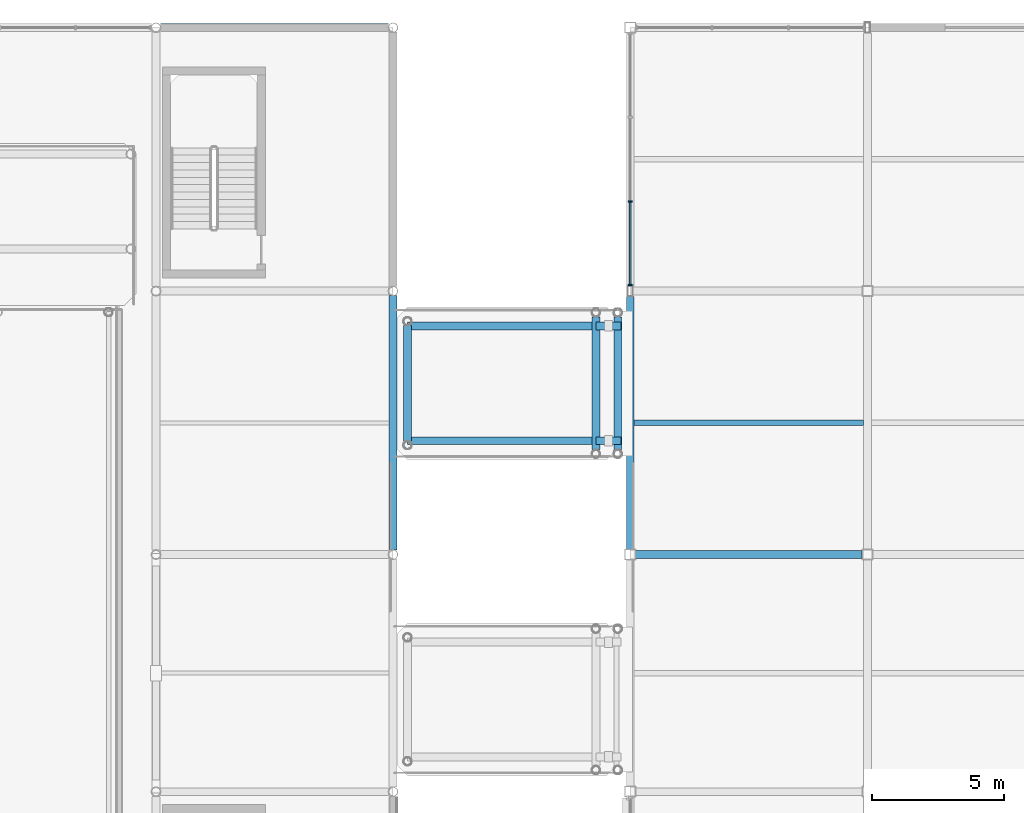
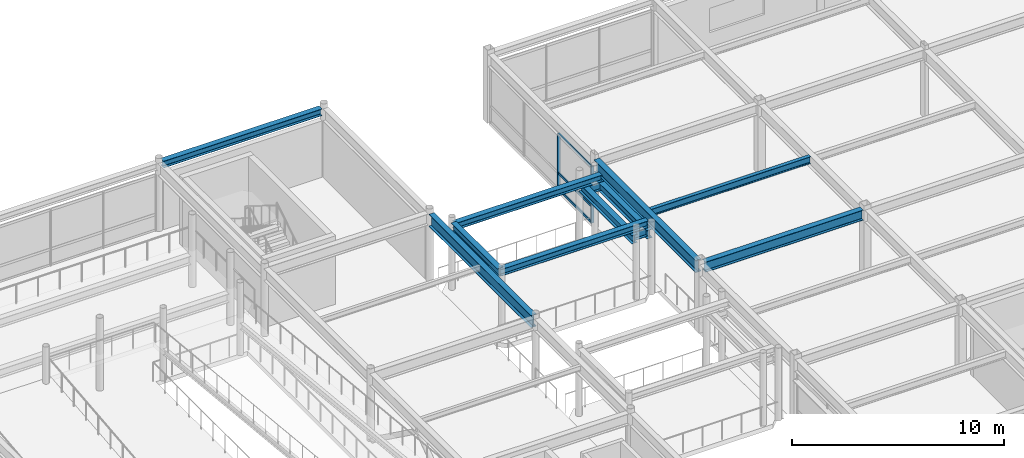
# One storey, part 41 of 108: 12 beams, 5 members, 1 element without a shape of its own.
"""IFC4 building model written with IfcOpenShell, lengths in metres."""

from ifc_helpers import new_model, si_unit, direction, frame, origin, origin_2d, place, context, subcontext, project, spatial, rectangle, i_section, extrude, material, material_profile, profile_set, type_object, element, aggregate, save


model = new_model("IFC4")

# Units and contexts
model_context = context("Model", 3, precision=1e-05, world=origin(), true_north=direction((0.0, 1.0)))
body_context = subcontext(model_context, "Body", "Model", "MODEL_VIEW")
ifc_project = project(units=[si_unit("LENGTHUNIT", "METRE"), si_unit("AREAUNIT", "SQUARE_METRE"), si_unit("VOLUMEUNIT", "CUBIC_METRE"), si_unit("PLANEANGLEUNIT", "RADIAN"), si_unit("MASSUNIT", "GRAM", prefix="KILO")], contexts=[model_context])

# Site, building, storey
site_placement = place(None, origin())
site = spatial("IfcSite", under=ifc_project, at=site_placement, CompositionType="ELEMENT")
building_placement = place(site_placement, origin())
building = spatial("IfcBuilding", under=site, at=building_placement, Name="Suzunagisa Mobility Hub", CompositionType="ELEMENT")
storey_placement = place(building_placement, frame((0.0, 0.0, 9.300048828125)))
storey = spatial("IfcBuildingStorey", under=building, at=storey_placement, Name="L02", CompositionType="ELEMENT", Elevation=9.300048828125)

# Curtain wall, members
ifc_material_1 = material(Name="Thermally Broken Anodized Aluminum and Low-E Glazing", Category="aluminium")
curtain_wall_type = type_object("IfcCurtainWallType", Name="Unitised Curtain Wall CW-07 9500x3200", PredefinedType="USERDEFINED", material=ifc_material_1)
curtain_wall_placement = place(storey_placement, origin())
curtain_wall = element("IfcCurtainWall", 1, at=curtain_wall_placement, inside=storey, type_object=curtain_wall_type, Name="L02 Unitised Curtain Wall CW-119", ObjectType="UNITISED CURTAIN WALL", PredefinedType="USERDEFINED")
ifc_material_2 = material(Name="Anodized Aluminum 6063-T6", Category="aluminium")
ifc_material_profile_1 = material_profile(ifc_material_2, rectangle(XDim=0.06494140625, YDim=0.139892578125, at=origin_2d()), Name="TRAN-65x140")
ifc_profile_set_1 = profile_set([ifc_material_profile_1], Name="Anodized Aluminum 6063-T6")
member_type_1 = type_object("IfcMemberType", Name="Curtain Wall Framing CM-01 TRAN-65x140", PredefinedType="USERDEFINED", material=ifc_profile_set_1)
member_1_placement = place(storey_placement, frame((45.0, 111.3720703125, 0.032470703125), z_axis=(0.0, -1.0, 0.0), x_axis=(1.0, 0.0, 0.0)))
member_1 = element("IfcMember", 2, at=member_1_placement, type_object=member_type_1, Name="Curtain Wall Transom 119-T3.1", ObjectType="TRANSOM", PredefinedType="USERDEFINED", context=body_context, shape_type="SweptSolid", body=[
    extrude(rectangle(XDim=0.06494140625, YDim=0.139892578125, at=origin_2d()), origin(), (0.0, 0.0, 1.0), 3.114013671875),
])
member_2_placement = place(storey_placement, frame((45.0, 111.3720703125, 0.949951171875), z_axis=(0.0, -1.0, 0.0), x_axis=(1.0, 0.0, 0.0)))
member_2 = element("IfcMember", 3, at=member_2_placement, type_object=member_type_1, Name="Curtain Wall Transom 119-T3.2", ObjectType="TRANSOM", PredefinedType="USERDEFINED", context=body_context, shape_type="SweptSolid", body=[
    extrude(rectangle(XDim=0.06494140625, YDim=0.139892578125, at=origin_2d()), origin(), (0.0, 0.0, 1.0), 3.114013671875),
])
member_3_placement = place(storey_placement, frame((45.0, 111.3720703125, 3.217529296875), z_axis=(0.0, -1.0, 0.0), x_axis=(1.0, 0.0, 0.0)))
member_3 = element("IfcMember", 4, at=member_3_placement, type_object=member_type_1, Name="Curtain Wall Transom 119-T3.3", ObjectType="TRANSOM", PredefinedType="USERDEFINED", context=body_context, shape_type="SweptSolid", body=[
    extrude(rectangle(XDim=0.06494140625, YDim=0.139892578125, at=origin_2d()), origin(), (0.0, 0.0, 1.0), 3.114013671875),
])
ifc_material_profile_2 = material_profile(ifc_material_2, rectangle(XDim=0.06005859375, YDim=0.14990234375, at=origin_2d()), Name="MULL-60x150")
ifc_profile_set_2 = profile_set([ifc_material_profile_2], Name="Anodized Aluminum 6063-T6")
member_type_2 = type_object("IfcMemberType", Name="Curtain Wall Framing CM-03 MULL-60x150", PredefinedType="MULLION", material=ifc_profile_set_2)
member_4_placement = place(storey_placement, frame((45.0, 111.39990234375, 0.0), z_axis=(0.0, 0.0, 1.0), x_axis=(0.0, -1.0, 0.0)))
member_4 = element("IfcMember", 5, at=member_4_placement, type_object=member_type_2, Name="Curtain Wall Mullion 119-M3", PredefinedType="MULLION", context=body_context, shape_type="SweptSolid", body=[
    extrude(rectangle(XDim=0.06005859375, YDim=0.14990234375, at=origin_2d()), origin(), (0.0, 0.0, 1.0), 3.25),
])
member_5_placement = place(storey_placement, frame((45.0, 108.22998046875, 0.0), z_axis=(0.0, 0.0, 1.0), x_axis=(0.0, -1.0, 0.0)))
member_5 = element("IfcMember", 6, at=member_5_placement, type_object=member_type_2, Name="Curtain Wall Mullion 119-M4", PredefinedType="MULLION", context=body_context, shape_type="SweptSolid", body=[
    extrude(rectangle(XDim=0.06005859375, YDim=0.14990234375, at=origin_2d()), origin(), (0.0, 0.0, 1.0), 3.25),
])
aggregate(curtain_wall, [member_4, member_5, member_1, member_2, member_3])

# Beams
ifc_material_3 = material(Name="Steel SN490B", Category="steel")
ifc_material_profile_3 = material_profile(ifc_material_3, i_section(OverallWidth=0.300048828125, OverallDepth=0.488037109375, WebThickness=0.010986328125, FlangeThickness=0.01806640625, FilletRadius=0.012939453125, at=origin_2d()), Name="H-488x300x11x18")
ifc_profile_set_3 = profile_set([ifc_material_profile_3], Name="Steel SN490B")
beam_type_1 = type_object("IfcBeamType", Name="Steel Beam BM-06 H-488x300x11x18", PredefinedType="BEAM", material=ifc_profile_set_3)
beam_1_placement = place(storey_placement, frame((36.550048828125, 102.31005859375, 3.696044921875), z_axis=(0.0, 1.0, 0.0), x_axis=(-1.0, 0.0, 0.0)))
element("IfcBeam", 7, at=beam_1_placement, inside=storey, type_object=beam_type_1, Name="L03 Skybridge Fixed Crosshead VRL-L03-N", PredefinedType="BEAM", context=body_context, shape_type="SweptSolid", body=[
    extrude(i_section(OverallWidth=0.300048828125, OverallDepth=0.488037109375, WebThickness=0.010986328125, FlangeThickness=0.01806640625, FilletRadius=0.012939453125, at=origin_2d()), origin(), (0.0, 0.0, 1.0), 4.3798828125),
])
for number, where, z_axis, x_axis, name in (
    (8, (43.699951171875, 101.97998046875, 3.305908203125), (0.0, 1.0, 0.0), (-1.0, 0.0, 0.0), "L03 Skybridge Seat Crosshead VRL-L03-N-W"),
    (9, (44.530029296875, 101.97998046875, 3.305908203125), (0.0, 1.0, 0.0), (-1.0, 0.0, 0.0), "L03 Skybridge Seat Crosshead VRL-L03-N-E"),
):
    element("IfcBeam", number, at=place(storey_placement, frame(where, z_axis=z_axis, x_axis=x_axis)), inside=storey, type_object=beam_type_1, Name=name, PredefinedType="BEAM", context=body_context, shape_type="SweptSolid", body=[
        extrude(i_section(OverallWidth=0.300048828125, OverallDepth=0.488037109375, WebThickness=0.010986328125, FlangeThickness=0.01806640625, FilletRadius=0.012939453125, at=origin_2d()), origin(), (0.0, 0.0, 1.0), 5.0400390625),
    ])
for number, where, z_axis, x_axis, name in (
    (10, (43.699951171875, 102.320068359375, 3.305908203125), (1.0, 0.0, 0.0), (0.0, 1.0, 0.0), "L03 Skybridge 950mm Bearing Seat VRL-L03-N-A"),
    (11, (43.699951171875, 106.679931640625, 3.305908203125), (1.0, 0.0, 0.0), (0.0, 1.0, 0.0), "L03 Skybridge 950mm Bearing Seat VRL-L03-N-B"),
):
    element("IfcBeam", number, at=place(storey_placement, frame(where, z_axis=z_axis, x_axis=x_axis)), inside=storey, type_object=beam_type_1, Name=name, PredefinedType="BEAM", context=body_context, shape_type="SweptSolid", body=[
        extrude(i_section(OverallWidth=0.300048828125, OverallDepth=0.488037109375, WebThickness=0.010986328125, FlangeThickness=0.01806640625, FilletRadius=0.012939453125, at=origin_2d()), origin(), (0.0, 0.0, 1.0), 0.949951171875),
    ])
ifc_material_profile_4 = material_profile(ifc_material_3, i_section(OverallWidth=0.300048828125, OverallDepth=0.699951171875, WebThickness=0.012939453125, FlangeThickness=0.02392578125, FilletRadius=0.01806640625, at=origin_2d()), Name="H-700x300x13x24")
ifc_profile_set_4 = profile_set([ifc_material_profile_4], Name="Steel SN490B")
beam_type_2 = type_object("IfcBeamType", Name="Steel Beam BM-11 H-700x300x13x24", PredefinedType="BEAM", material=ifc_profile_set_4)
beam_2_placement = place(storey_placement, frame((36.0, 98.173828125, 3.58984375), z_axis=(0.0, 1.0, 0.0), x_axis=(-1.0, 0.0, 0.0)))
element("IfcBeam", 12, at=beam_2_placement, inside=storey, type_object=beam_type_2, Name="L02 Primary Girder GY-546", PredefinedType="BEAM", context=body_context, shape_type="SweptSolid", body=[
    extrude(i_section(OverallWidth=0.300048828125, OverallDepth=0.699951171875, WebThickness=0.012939453125, FlangeThickness=0.02392578125, FilletRadius=0.01806640625, at=origin_2d()), origin(), (0.0, 0.0, 1.0), 9.65234375),
])
beam_3_placement = place(storey_placement, frame((45.0, 98.196044921875, 3.599853515625), z_axis=(0.0, 1.0, 0.0), x_axis=(-1.0, 0.0, 0.0)))
element("IfcBeam", 13, at=beam_3_placement, inside=storey, type_object=beam_type_2, Name="L02 Primary Girder GY-961", PredefinedType="BEAM", context=body_context, shape_type="SweptSolid", body=[
    extrude(i_section(OverallWidth=0.300048828125, OverallDepth=0.699951171875, WebThickness=0.012939453125, FlangeThickness=0.02392578125, FilletRadius=0.01806640625, at=origin_2d()), origin(), (0.0, 0.0, 1.0), 9.60791015625),
])
ifc_material_profile_5 = material_profile(ifc_material_3, i_section(OverallWidth=0.300048828125, OverallDepth=0.389892578125, WebThickness=0.010009765625, FlangeThickness=0.01611328125, FilletRadius=0.012939453125, at=origin_2d()), Name="H-390x300x10x16")
ifc_profile_set_5 = profile_set([ifc_material_profile_5], Name="Steel SN490B")
beam_type_3 = type_object("IfcBeamType", Name="Steel Beam BM-13 H-390x300x10x16", PredefinedType="SPANDREL", material=ifc_profile_set_5)
beam_4_placement = place(storey_placement, frame((27.173828125, 118.0, 3.7548828125), z_axis=(1.0, 0.0, 0.0), x_axis=(0.0, 1.0, 0.0)))
element("IfcBeam", 14, at=beam_4_placement, inside=storey, type_object=beam_type_3, Name="L02 Primary Girder GX-532", PredefinedType="SPANDREL", context=body_context, shape_type="SweptSolid", body=[
    extrude(i_section(OverallWidth=0.300048828125, OverallDepth=0.389892578125, WebThickness=0.010009765625, FlangeThickness=0.01611328125, FilletRadius=0.012939453125, at=origin_2d()), origin(), (0.0, 0.0, 1.0), 8.65234375),
])
ifc_material_4 = material(Name="Steel SN400B", Category="steel")
ifc_material_profile_6 = material_profile(ifc_material_4, i_section(OverallWidth=0.199951171875, OverallDepth=0.39990234375, WebThickness=0.008056640625, FlangeThickness=0.012939453125, FilletRadius=0.012939453125, at=origin_2d()), Name="H-400x200x8x13")
ifc_profile_set_6 = profile_set([ifc_material_profile_6], Name="Steel SN400B")
beam_type_4 = type_object("IfcBeamType", Name="Steel Beam BM-14 H-400x200x8x13", PredefinedType="JOIST", material=ifc_profile_set_6)
beam_5_placement = place(storey_placement, frame((45.14990234375, 103.0, 3.75), z_axis=(1.0, 0.0, 0.0), x_axis=(0.0, 1.0, 0.0)))
element("IfcBeam", 15, at=beam_5_placement, inside=storey, type_object=beam_type_4, Name="L02 Composite Floor Joist J-1001", PredefinedType="JOIST", context=body_context, shape_type="SweptSolid", body=[
    extrude(i_section(OverallWidth=0.199951171875, OverallDepth=0.39990234375, WebThickness=0.008056640625, FlangeThickness=0.012939453125, FilletRadius=0.012939453125, at=origin_2d()), origin(), (0.0, 0.0, 1.0), 8.7001953125),
])
ifc_material_profile_7 = material_profile(ifc_material_3, i_section(OverallWidth=0.300048828125, OverallDepth=0.587890625, WebThickness=0.011962890625, FlangeThickness=0.02001953125, FilletRadius=0.012939453125, at=origin_2d()), Name="H-588x300x12x20")
ifc_profile_set_7 = profile_set([ifc_material_profile_7], Name="Steel SN490B")
beam_type_5 = type_object("IfcBeamType", Name="Steel Beam BM-16 H-588x300x12x20", PredefinedType="BEAM", material=ifc_profile_set_7)
beam_6_placement = place(storey_placement, frame((45.196044921875, 98.0, 3.656005859375), z_axis=(1.0, 0.0, 0.0), x_axis=(0.0, 1.0, 0.0)))
element("IfcBeam", 16, at=beam_6_placement, inside=storey, type_object=beam_type_5, Name="L02 Primary Girder GX-933", PredefinedType="BEAM", context=body_context, shape_type="SweptSolid", body=[
    extrude(i_section(OverallWidth=0.300048828125, OverallDepth=0.587890625, WebThickness=0.011962890625, FlangeThickness=0.02001953125, FilletRadius=0.012939453125, at=origin_2d()), origin(), (0.0, 0.0, 1.0), 8.60791015625),
])
ifc_material_profile_8 = material_profile(ifc_material_3, i_section(OverallWidth=0.300048828125, OverallDepth=0.389892578125, WebThickness=0.010009765625, FlangeThickness=0.01611328125, FilletRadius=0.012939453125, at=origin_2d()), Name="H-390x300x10x16")
ifc_profile_set_8 = profile_set([ifc_material_profile_8], Name="Steel SN490B")
beam_type_6 = type_object("IfcBeamType", Name="Steel Beam BM-17 H-390x300x10x16", PredefinedType="T_BEAM", material=ifc_profile_set_8)
for number, where, z_axis, x_axis, name in (
    (17, (36.550048828125, 102.320068359375, 3.744873046875), (1.0, 0.0, 0.0), (0.0, 1.0, 0.0), "L03 Bridge Girder VRL-L03-N-A"),
    (18, (36.550048828125, 106.679931640625, 3.744873046875), (1.0, 0.0, 0.0), (0.0, 1.0, 0.0), "L03 Bridge Girder VRL-L03-N-B"),
):
    element("IfcBeam", number, at=place(storey_placement, frame(where, z_axis=z_axis, x_axis=x_axis)), inside=storey, type_object=beam_type_6, Name=name, PredefinedType="T_BEAM", context=body_context, shape_type="SweptSolid", body=[
        extrude(i_section(OverallWidth=0.300048828125, OverallDepth=0.389892578125, WebThickness=0.010009765625, FlangeThickness=0.01611328125, FilletRadius=0.012939453125, at=origin_2d()), origin(), (0.0, 0.0, 1.0), 8.02001953125),
    ])

save(model, "model.ifc")
